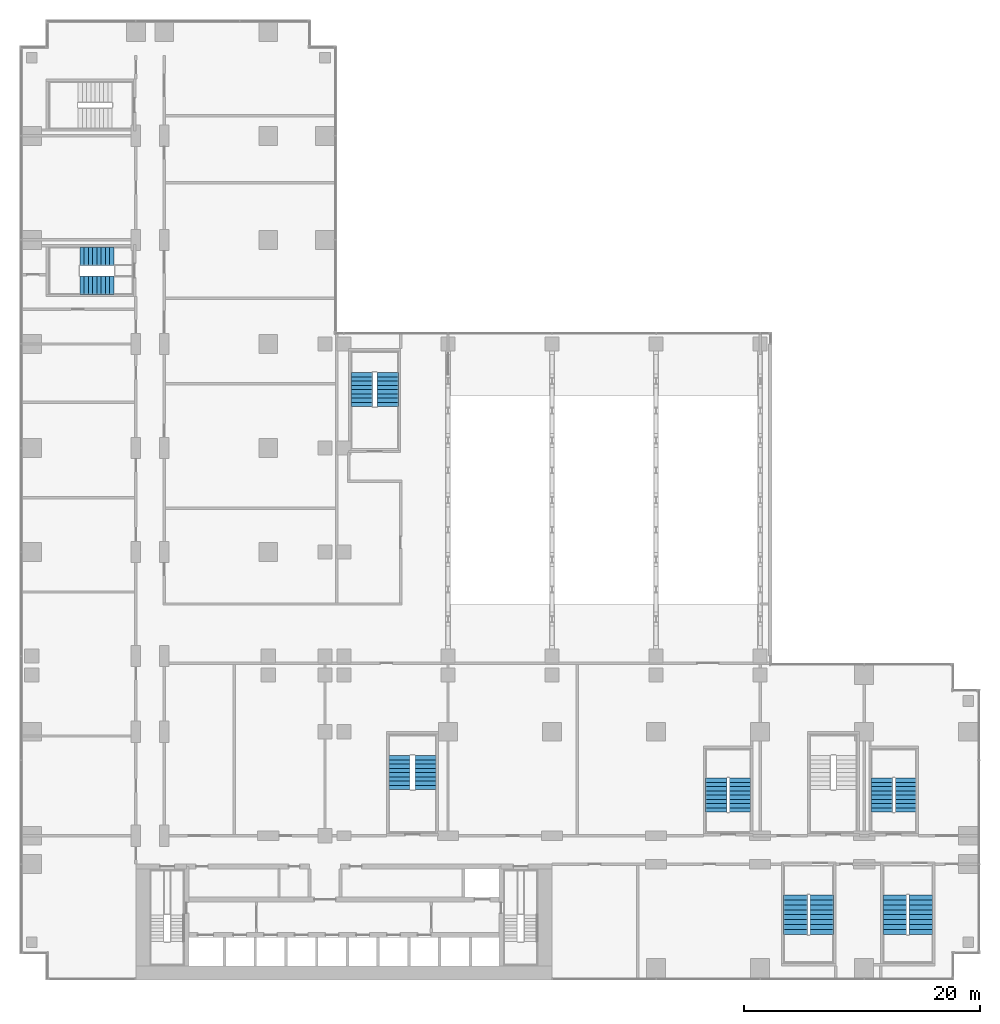
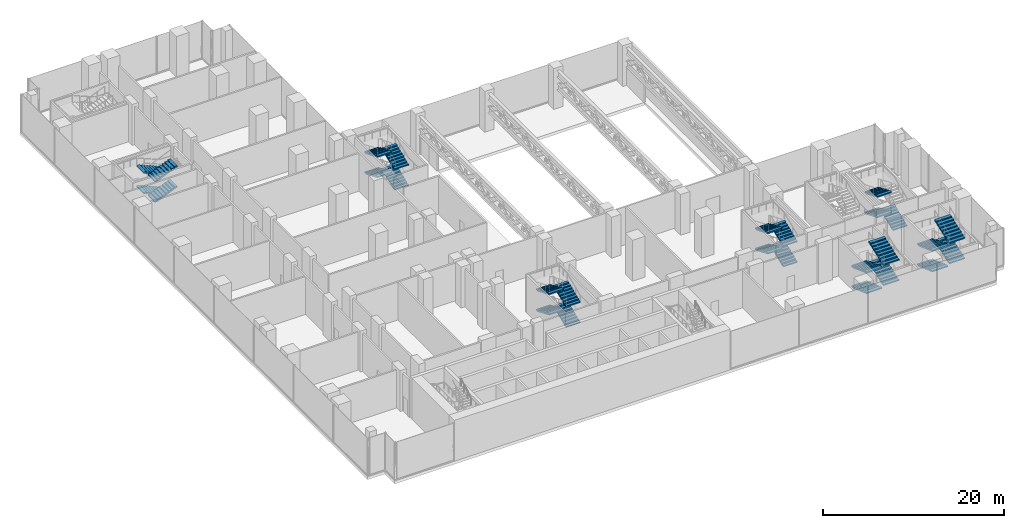
# One storey, part 23 of 30: 27 stair flights, 7 elements without a shape of their own.
"""IFC4 building model written with IfcOpenShell, lengths in metres."""

from ifc_helpers import new_model, si_unit, direction, frame, origin, place, context, subcontext, project, spatial, polyline, outline, extrude, material, type_object, element, aggregate, save


model = new_model("IFC4")

# Units and contexts
model_context = context("Model", 3, precision=1e-05, world=origin(), true_north=direction((0.0, 1.0)))
body_context = subcontext(model_context, "Body", "Model", "MODEL_VIEW")
ifc_project = project(units=[si_unit("LENGTHUNIT", "METRE"), si_unit("AREAUNIT", "SQUARE_METRE"), si_unit("VOLUMEUNIT", "CUBIC_METRE"), si_unit("PLANEANGLEUNIT", "RADIAN"), si_unit("MASSUNIT", "GRAM", prefix="KILO")], contexts=[model_context])

# Site, building, storey
site_placement = place(None, origin())
site = spatial("IfcSite", under=ifc_project, at=site_placement, CompositionType="ELEMENT")
building_placement = place(site_placement, origin())
building = spatial("IfcBuilding", under=site, at=building_placement, Name="Kemantara Hotel Tower", CompositionType="ELEMENT")
storey_placement = place(building_placement, frame((0.0, 0.0, 23.5)))
storey = spatial("IfcBuildingStorey", under=building, at=storey_placement, Name="L04", CompositionType="ELEMENT", Elevation=23.5)

# Stair, stair flights
ifc_material = material(Name="Concrete fc 40 MPa", Category="concrete")
stair_type_1 = type_object("IfcStairType", Name="Stair 1550 wide 36 risers of 153 x 360 mm", PredefinedType="HALF_TURN_STAIR", material=ifc_material)
stair_1_placement = place(storey_placement, origin())
stair_1 = element("IfcStair", 1, at=stair_1_placement, inside=storey, type_object=stair_type_1, Name="L04 Exit stair ST4", PredefinedType="HALF_TURN_STAIR")
stair_flight_type_1 = type_object("IfcStairFlightType", Name="Stair flight 1550 wide 153 x 360 mm", PredefinedType="STRAIGHT", material=ifc_material)
stair_flight_1_placement = place(storey_placement, frame((7.949951171875, 61.22509765625, 0.0), z_axis=(0.0, 0.0, 1.0), x_axis=(-1.0, 0.0, 0.0)))
stair_flight_1 = element("IfcStairFlight", 2, at=stair_flight_1_placement, type_object=stair_flight_type_1, Name="ST4 flight 1", NumberOfRisers=9, NumberOfTreads=8, PredefinedType="STRAIGHT", RiserHeight=0.152777778, TreadLength=0.36, context=body_context, shape_type="SweptSolid", body=[
    extrude(outline(polyline([(0.0, 0.0), (0.0, 0.15283203125), (0.360107421875, 0.15283203125), (0.360107421875, 0.3056640625), (0.719970703125, 0.3056640625), (0.719970703125, 0.458251953125), (1.080078125, 0.458251953125), (1.080078125, 0.611083984375), (1.43994140625, 0.611083984375), (1.43994140625, 0.763916015625), (1.800048828125, 0.763916015625), (1.800048828125, 0.916748046875), (2.159912109375, 0.916748046875), (2.159912109375, 1.0693359375), (2.52001953125, 1.0693359375), (2.52001953125, 1.22216796875), (2.8798828125, 1.22216796875), (2.8798828125, 1.375), (2.8798828125, 1.059326171875), (0.3837890625, 0.0), (0.0, 0.0)])), frame((0.0, 0.77490234375, 0.0), z_axis=(0.0, -1.0, 0.0), x_axis=(1.0, 0.0, 0.0)), (0.0, 0.0, 1.0), 1.550048828125),
])
stair_flight_2_placement = place(storey_placement, frame((5.070068359375, 58.77490234375, 1.375), z_axis=(0.0, 0.0, 1.0), x_axis=(1.0, 0.0, 0.0)))
stair_flight_2 = element("IfcStairFlight", 3, at=stair_flight_2_placement, type_object=stair_flight_type_1, Name="ST4 flight 2", NumberOfRisers=9, NumberOfTreads=8, PredefinedType="STRAIGHT", RiserHeight=0.152777778, TreadLength=0.36, context=body_context, shape_type="SweptSolid", body=[
    extrude(outline(polyline([(0.0, 0.0), (0.0, 0.15283203125), (0.360107421875, 0.15283203125), (0.360107421875, 0.3056640625), (0.719970703125, 0.3056640625), (0.719970703125, 0.458251953125), (1.080078125, 0.458251953125), (1.080078125, 0.611083984375), (1.43994140625, 0.611083984375), (1.43994140625, 0.763916015625), (1.800048828125, 0.763916015625), (1.800048828125, 0.916748046875), (2.159912109375, 0.916748046875), (2.159912109375, 1.0693359375), (2.52001953125, 1.0693359375), (2.52001953125, 1.22216796875), (2.8798828125, 1.22216796875), (2.8798828125, 1.375), (2.8798828125, 1.059326171875), (0.3837890625, 0.0), (0.0, 0.0)])), frame((0.0, 0.77490234375, 0.0), z_axis=(0.0, -1.0, 0.0), x_axis=(1.0, 0.0, 0.0)), (0.0, 0.0, 1.0), 1.550048828125),
])
stair_flight_3_placement = place(storey_placement, frame((7.949951171875, 61.22509765625, 2.75), z_axis=(0.0, 0.0, 1.0), x_axis=(-1.0, 0.0, 0.0)))
stair_flight_3 = element("IfcStairFlight", 4, at=stair_flight_3_placement, type_object=stair_flight_type_1, Name="ST4 flight 3", NumberOfRisers=9, NumberOfTreads=8, PredefinedType="STRAIGHT", RiserHeight=0.152777778, TreadLength=0.36, context=body_context, shape_type="SweptSolid", body=[
    extrude(outline(polyline([(0.0, 0.0), (0.0, 0.15283203125), (0.360107421875, 0.15283203125), (0.360107421875, 0.3056640625), (0.719970703125, 0.3056640625), (0.719970703125, 0.458251953125), (1.080078125, 0.458251953125), (1.080078125, 0.611083984375), (1.43994140625, 0.611083984375), (1.43994140625, 0.763916015625), (1.800048828125, 0.763916015625), (1.800048828125, 0.916748046875), (2.159912109375, 0.916748046875), (2.159912109375, 1.0693359375), (2.52001953125, 1.0693359375), (2.52001953125, 1.22216796875), (2.8798828125, 1.22216796875), (2.8798828125, 1.375), (2.8798828125, 1.059326171875), (0.3837890625, 0.0), (0.0, 0.0)])), frame((0.0, 0.77490234375, 0.0), z_axis=(0.0, -1.0, 0.0), x_axis=(1.0, 0.0, 0.0)), (0.0, 0.0, 1.0), 1.550048828125),
])
stair_flight_4_placement = place(storey_placement, frame((5.070068359375, 58.77490234375, 4.125), z_axis=(0.0, 0.0, 1.0), x_axis=(1.0, 0.0, 0.0)))
stair_flight_4 = element("IfcStairFlight", 5, at=stair_flight_4_placement, type_object=stair_flight_type_1, Name="ST4 flight 4", NumberOfRisers=9, NumberOfTreads=8, PredefinedType="STRAIGHT", RiserHeight=0.152777778, TreadLength=0.36, context=body_context, shape_type="SweptSolid", body=[
    extrude(outline(polyline([(0.0, 0.0), (0.0, 0.15283203125), (0.360107421875, 0.15283203125), (0.360107421875, 0.3056640625), (0.719970703125, 0.3056640625), (0.719970703125, 0.458251953125), (1.080078125, 0.458251953125), (1.080078125, 0.611083984375), (1.43994140625, 0.611083984375), (1.43994140625, 0.763916015625), (1.800048828125, 0.763916015625), (1.800048828125, 0.916748046875), (2.159912109375, 0.916748046875), (2.159912109375, 1.0693359375), (2.52001953125, 1.0693359375), (2.52001953125, 1.22216796875), (2.8798828125, 1.22216796875), (2.8798828125, 1.375), (2.8798828125, 1.059326171875), (0.3837890625, 0.0), (0.0, 0.0)])), frame((0.0, 0.77490234375, 0.0), z_axis=(0.0, -1.0, 0.0), x_axis=(1.0, 0.0, 0.0)), (0.0, 0.0, 1.0), 1.550048828125),
])
aggregate(stair_1, [stair_flight_1, stair_flight_2, stair_flight_3, stair_flight_4])

stair_type_2 = type_object("IfcStairType", Name="Stair 1800 wide 36 risers of 153 x 360 mm", PredefinedType="HALF_TURN_STAIR", material=ifc_material)
stair_2_placement = place(storey_placement, origin())
stair_2 = element("IfcStair", 6, at=stair_2_placement, inside=storey, type_object=stair_type_2, Name="L04 Exit stair ST3", PredefinedType="HALF_TURN_STAIR")
stair_flight_type_2 = type_object("IfcStairFlightType", Name="Stair flight 1800 wide 153 x 360 mm", PredefinedType="STRAIGHT", material=ifc_material)
stair_flight_5_placement = place(storey_placement, frame((60.89990234375, 14.199951171875, 0.0), z_axis=(0.0, 0.0, 1.0), x_axis=(0.0, 1.0, 0.0)))
stair_flight_5 = element("IfcStairFlight", 7, at=stair_flight_5_placement, type_object=stair_flight_type_2, Name="ST3 flight 1", NumberOfRisers=9, NumberOfTreads=8, PredefinedType="STRAIGHT", RiserHeight=0.152777778, TreadLength=0.36, context=body_context, shape_type="SweptSolid", body=[
    extrude(outline(polyline([(0.0, 0.0), (0.0, 0.15283203125), (0.360107421875, 0.15283203125), (0.360107421875, 0.3056640625), (0.719970703125, 0.3056640625), (0.719970703125, 0.458251953125), (1.080078125, 0.458251953125), (1.080078125, 0.611083984375), (1.43994140625, 0.611083984375), (1.43994140625, 0.763916015625), (1.800048828125, 0.763916015625), (1.800048828125, 0.916748046875), (2.159912109375, 0.916748046875), (2.159912109375, 1.0693359375), (2.52001953125, 1.0693359375), (2.52001953125, 1.22216796875), (2.8798828125, 1.22216796875), (2.8798828125, 1.375), (2.8798828125, 1.059326171875), (0.3837890625, 0.0), (0.0, 0.0)])), frame((0.0, 0.89990234375, 0.0), z_axis=(0.0, -1.0, 0.0), x_axis=(1.0, 0.0, 0.0)), (0.0, 0.0, 1.0), 1.800048828125),
])
stair_flight_6_placement = place(storey_placement, frame((58.89990234375, 17.080078125, 1.375), z_axis=(0.0, 0.0, 1.0), x_axis=(0.0, -1.0, 0.0)))
stair_flight_6 = element("IfcStairFlight", 8, at=stair_flight_6_placement, type_object=stair_flight_type_2, Name="ST3 flight 2", NumberOfRisers=9, NumberOfTreads=8, PredefinedType="STRAIGHT", RiserHeight=0.152777778, TreadLength=0.36, context=body_context, shape_type="SweptSolid", body=[
    extrude(outline(polyline([(0.0, 0.0), (0.0, 0.15283203125), (0.360107421875, 0.15283203125), (0.360107421875, 0.3056640625), (0.719970703125, 0.3056640625), (0.719970703125, 0.458251953125), (1.080078125, 0.458251953125), (1.080078125, 0.611083984375), (1.43994140625, 0.611083984375), (1.43994140625, 0.763916015625), (1.800048828125, 0.763916015625), (1.800048828125, 0.916748046875), (2.159912109375, 0.916748046875), (2.159912109375, 1.0693359375), (2.52001953125, 1.0693359375), (2.52001953125, 1.22216796875), (2.8798828125, 1.22216796875), (2.8798828125, 1.375), (2.8798828125, 1.059326171875), (0.3837890625, 0.0), (0.0, 0.0)])), frame((0.0, 0.89990234375, 0.0), z_axis=(0.0, -1.0, 0.0), x_axis=(1.0, 0.0, 0.0)), (0.0, 0.0, 1.0), 1.800048828125),
])
stair_flight_7_placement = place(storey_placement, frame((60.89990234375, 14.199951171875, 2.75), z_axis=(0.0, 0.0, 1.0), x_axis=(0.0, 1.0, 0.0)))
stair_flight_7 = element("IfcStairFlight", 9, at=stair_flight_7_placement, type_object=stair_flight_type_2, Name="ST3 flight 3", NumberOfRisers=9, NumberOfTreads=8, PredefinedType="STRAIGHT", RiserHeight=0.152777778, TreadLength=0.36, context=body_context, shape_type="SweptSolid", body=[
    extrude(outline(polyline([(0.0, 0.0), (0.0, 0.15283203125), (0.360107421875, 0.15283203125), (0.360107421875, 0.3056640625), (0.719970703125, 0.3056640625), (0.719970703125, 0.458251953125), (1.080078125, 0.458251953125), (1.080078125, 0.611083984375), (1.43994140625, 0.611083984375), (1.43994140625, 0.763916015625), (1.800048828125, 0.763916015625), (1.800048828125, 0.916748046875), (2.159912109375, 0.916748046875), (2.159912109375, 1.0693359375), (2.52001953125, 1.0693359375), (2.52001953125, 1.22216796875), (2.8798828125, 1.22216796875), (2.8798828125, 1.375), (2.8798828125, 1.059326171875), (0.3837890625, 0.0), (0.0, 0.0)])), frame((0.0, 0.89990234375, 0.0), z_axis=(0.0, -1.0, 0.0), x_axis=(1.0, 0.0, 0.0)), (0.0, 0.0, 1.0), 1.800048828125),
])
stair_flight_8_placement = place(storey_placement, frame((58.89990234375, 17.080078125, 4.125), z_axis=(0.0, 0.0, 1.0), x_axis=(0.0, -1.0, 0.0)))
stair_flight_8 = element("IfcStairFlight", 10, at=stair_flight_8_placement, type_object=stair_flight_type_2, Name="ST3 flight 4", NumberOfRisers=9, NumberOfTreads=8, PredefinedType="STRAIGHT", RiserHeight=0.152777778, TreadLength=0.36, context=body_context, shape_type="SweptSolid", body=[
    extrude(outline(polyline([(0.0, 0.0), (0.0, 0.15283203125), (0.360107421875, 0.15283203125), (0.360107421875, 0.3056640625), (0.719970703125, 0.3056640625), (0.719970703125, 0.458251953125), (1.080078125, 0.458251953125), (1.080078125, 0.611083984375), (1.43994140625, 0.611083984375), (1.43994140625, 0.763916015625), (1.800048828125, 0.763916015625), (1.800048828125, 0.916748046875), (2.159912109375, 0.916748046875), (2.159912109375, 1.0693359375), (2.52001953125, 1.0693359375), (2.52001953125, 1.22216796875), (2.8798828125, 1.22216796875), (2.8798828125, 1.375), (2.8798828125, 1.059326171875), (0.3837890625, 0.0), (0.0, 0.0)])), frame((0.0, 0.89990234375, 0.0), z_axis=(0.0, -1.0, 0.0), x_axis=(1.0, 0.0, 0.0)), (0.0, 0.0, 1.0), 1.800048828125),
])
aggregate(stair_2, [stair_flight_5, stair_flight_6, stair_flight_7, stair_flight_8])

stair_3_placement = place(storey_placement, origin())
stair_3 = element("IfcStair", 11, at=stair_3_placement, inside=storey, type_object=stair_type_2, Name="L04 Exit stair ST5", PredefinedType="HALF_TURN_STAIR")
stair_flight_9_placement = place(storey_placement, frame((74.89990234375, 14.199951171875, 0.0), z_axis=(0.0, 0.0, 1.0), x_axis=(0.0, 1.0, 0.0)))
stair_flight_9 = element("IfcStairFlight", 12, at=stair_flight_9_placement, type_object=stair_flight_type_2, Name="ST5 flight 1", NumberOfRisers=9, NumberOfTreads=8, PredefinedType="STRAIGHT", RiserHeight=0.152777778, TreadLength=0.36, context=body_context, shape_type="SweptSolid", body=[
    extrude(outline(polyline([(0.0, 0.0), (0.0, 0.15283203125), (0.360107421875, 0.15283203125), (0.360107421875, 0.3056640625), (0.719970703125, 0.3056640625), (0.719970703125, 0.458251953125), (1.080078125, 0.458251953125), (1.080078125, 0.611083984375), (1.43994140625, 0.611083984375), (1.43994140625, 0.763916015625), (1.800048828125, 0.763916015625), (1.800048828125, 0.916748046875), (2.159912109375, 0.916748046875), (2.159912109375, 1.0693359375), (2.52001953125, 1.0693359375), (2.52001953125, 1.22216796875), (2.8798828125, 1.22216796875), (2.8798828125, 1.375), (2.8798828125, 1.059326171875), (0.3837890625, 0.0), (0.0, 0.0)])), frame((0.0, 0.89990234375, 0.0), z_axis=(0.0, -1.0, 0.0), x_axis=(1.0, 0.0, 0.0)), (0.0, 0.0, 1.0), 1.800048828125),
])
stair_flight_10_placement = place(storey_placement, frame((72.89990234375, 17.080078125, 1.375), z_axis=(0.0, 0.0, 1.0), x_axis=(0.0, -1.0, 0.0)))
stair_flight_10 = element("IfcStairFlight", 13, at=stair_flight_10_placement, type_object=stair_flight_type_2, Name="ST5 flight 2", NumberOfRisers=9, NumberOfTreads=8, PredefinedType="STRAIGHT", RiserHeight=0.152777778, TreadLength=0.36, context=body_context, shape_type="SweptSolid", body=[
    extrude(outline(polyline([(0.0, 0.0), (0.0, 0.15283203125), (0.360107421875, 0.15283203125), (0.360107421875, 0.3056640625), (0.719970703125, 0.3056640625), (0.719970703125, 0.458251953125), (1.080078125, 0.458251953125), (1.080078125, 0.611083984375), (1.43994140625, 0.611083984375), (1.43994140625, 0.763916015625), (1.800048828125, 0.763916015625), (1.800048828125, 0.916748046875), (2.159912109375, 0.916748046875), (2.159912109375, 1.0693359375), (2.52001953125, 1.0693359375), (2.52001953125, 1.22216796875), (2.8798828125, 1.22216796875), (2.8798828125, 1.375), (2.8798828125, 1.059326171875), (0.3837890625, 0.0), (0.0, 0.0)])), frame((0.0, 0.89990234375, 0.0), z_axis=(0.0, -1.0, 0.0), x_axis=(1.0, 0.0, 0.0)), (0.0, 0.0, 1.0), 1.800048828125),
])
stair_flight_11_placement = place(storey_placement, frame((72.89990234375, 17.080078125, 4.125), z_axis=(0.0, 0.0, 1.0), x_axis=(0.0, -1.0, 0.0)))
stair_flight_11 = element("IfcStairFlight", 14, at=stair_flight_11_placement, type_object=stair_flight_type_2, Name="ST5 flight 4", NumberOfRisers=9, NumberOfTreads=8, PredefinedType="STRAIGHT", RiserHeight=0.152777778, TreadLength=0.36, context=body_context, shape_type="SweptSolid", body=[
    extrude(outline(polyline([(0.0, 0.0), (0.0, 0.15283203125), (0.360107421875, 0.15283203125), (0.360107421875, 0.3056640625), (0.719970703125, 0.3056640625), (0.719970703125, 0.458251953125), (1.080078125, 0.458251953125), (1.080078125, 0.611083984375), (1.43994140625, 0.611083984375), (1.43994140625, 0.763916015625), (1.800048828125, 0.763916015625), (1.800048828125, 0.916748046875), (2.159912109375, 0.916748046875), (2.159912109375, 1.0693359375), (2.52001953125, 1.0693359375), (2.52001953125, 1.22216796875), (2.8798828125, 1.22216796875), (2.8798828125, 1.375), (2.8798828125, 1.059326171875), (0.3837890625, 0.0), (0.0, 0.0)])), frame((0.0, 0.89990234375, 0.0), z_axis=(0.0, -1.0, 0.0), x_axis=(1.0, 0.0, 0.0)), (0.0, 0.0, 1.0), 1.800048828125),
])
aggregate(stair_3, [stair_flight_9, stair_flight_10, stair_flight_11])

stair_4_placement = place(storey_placement, origin())
stair_4 = element("IfcStair", 15, at=stair_4_placement, inside=storey, type_object=stair_type_2, Name="L04 Stair PS2", PredefinedType="HALF_TURN_STAIR")
stair_flight_12_placement = place(storey_placement, frame((31.10009765625, 48.5, 0.0), z_axis=(0.0, 0.0, 1.0), x_axis=(0.0, 1.0, 0.0)))
stair_flight_12 = element("IfcStairFlight", 16, at=stair_flight_12_placement, type_object=stair_flight_type_2, Name="PS2 flight 1", NumberOfRisers=9, NumberOfTreads=8, PredefinedType="STRAIGHT", RiserHeight=0.152777778, TreadLength=0.36, context=body_context, shape_type="SweptSolid", body=[
    extrude(outline(polyline([(0.0, 0.0), (0.0, 0.15283203125), (0.360107421875, 0.15283203125), (0.360107421875, 0.3056640625), (0.719970703125, 0.3056640625), (0.719970703125, 0.458251953125), (1.080078125, 0.458251953125), (1.080078125, 0.611083984375), (1.43994140625, 0.611083984375), (1.43994140625, 0.763916015625), (1.800048828125, 0.763916015625), (1.800048828125, 0.916748046875), (2.159912109375, 0.916748046875), (2.159912109375, 1.0693359375), (2.52001953125, 1.0693359375), (2.52001953125, 1.22216796875), (2.8798828125, 1.22216796875), (2.8798828125, 1.375), (2.8798828125, 1.059326171875), (0.3837890625, 0.0), (0.0, 0.0)])), frame((0.0, 0.89990234375, 0.0), z_axis=(0.0, -1.0, 0.0), x_axis=(1.0, 0.0, 0.0)), (0.0, 0.0, 1.0), 1.800048828125),
])
stair_flight_13_placement = place(storey_placement, frame((28.89990234375, 51.3798828125, 1.375), z_axis=(0.0, 0.0, 1.0), x_axis=(0.0, -1.0, 0.0)))
stair_flight_13 = element("IfcStairFlight", 17, at=stair_flight_13_placement, type_object=stair_flight_type_2, Name="PS2 flight 2", NumberOfRisers=9, NumberOfTreads=8, PredefinedType="STRAIGHT", RiserHeight=0.152777778, TreadLength=0.36, context=body_context, shape_type="SweptSolid", body=[
    extrude(outline(polyline([(0.0, 0.0), (0.0, 0.15283203125), (0.360107421875, 0.15283203125), (0.360107421875, 0.3056640625), (0.719970703125, 0.3056640625), (0.719970703125, 0.458251953125), (1.080078125, 0.458251953125), (1.080078125, 0.611083984375), (1.43994140625, 0.611083984375), (1.43994140625, 0.763916015625), (1.800048828125, 0.763916015625), (1.800048828125, 0.916748046875), (2.159912109375, 0.916748046875), (2.159912109375, 1.0693359375), (2.52001953125, 1.0693359375), (2.52001953125, 1.22216796875), (2.8798828125, 1.22216796875), (2.8798828125, 1.375), (2.8798828125, 1.059326171875), (0.3837890625, 0.0), (0.0, 0.0)])), frame((0.0, 0.89990234375, 0.0), z_axis=(0.0, -1.0, 0.0), x_axis=(1.0, 0.0, 0.0)), (0.0, 0.0, 1.0), 1.800048828125),
])
stair_flight_14_placement = place(storey_placement, frame((31.10009765625, 48.5, 2.75), z_axis=(0.0, 0.0, 1.0), x_axis=(0.0, 1.0, 0.0)))
stair_flight_14 = element("IfcStairFlight", 18, at=stair_flight_14_placement, type_object=stair_flight_type_2, Name="PS2 flight 3", NumberOfRisers=9, NumberOfTreads=8, PredefinedType="STRAIGHT", RiserHeight=0.152777778, TreadLength=0.36, context=body_context, shape_type="SweptSolid", body=[
    extrude(outline(polyline([(0.0, 0.0), (0.0, 0.15283203125), (0.360107421875, 0.15283203125), (0.360107421875, 0.3056640625), (0.719970703125, 0.3056640625), (0.719970703125, 0.458251953125), (1.080078125, 0.458251953125), (1.080078125, 0.611083984375), (1.43994140625, 0.611083984375), (1.43994140625, 0.763916015625), (1.800048828125, 0.763916015625), (1.800048828125, 0.916748046875), (2.159912109375, 0.916748046875), (2.159912109375, 1.0693359375), (2.52001953125, 1.0693359375), (2.52001953125, 1.22216796875), (2.8798828125, 1.22216796875), (2.8798828125, 1.375), (2.8798828125, 1.059326171875), (0.3837890625, 0.0), (0.0, 0.0)])), frame((0.0, 0.89990234375, 0.0), z_axis=(0.0, -1.0, 0.0), x_axis=(1.0, 0.0, 0.0)), (0.0, 0.0, 1.0), 1.800048828125),
])
stair_flight_15_placement = place(storey_placement, frame((28.89990234375, 51.3798828125, 4.125), z_axis=(0.0, 0.0, 1.0), x_axis=(0.0, -1.0, 0.0)))
stair_flight_15 = element("IfcStairFlight", 19, at=stair_flight_15_placement, type_object=stair_flight_type_2, Name="PS2 flight 4", NumberOfRisers=9, NumberOfTreads=8, PredefinedType="STRAIGHT", RiserHeight=0.152777778, TreadLength=0.36, context=body_context, shape_type="SweptSolid", body=[
    extrude(outline(polyline([(0.0, 0.0), (0.0, 0.15283203125), (0.360107421875, 0.15283203125), (0.360107421875, 0.3056640625), (0.719970703125, 0.3056640625), (0.719970703125, 0.458251953125), (1.080078125, 0.458251953125), (1.080078125, 0.611083984375), (1.43994140625, 0.611083984375), (1.43994140625, 0.763916015625), (1.800048828125, 0.763916015625), (1.800048828125, 0.916748046875), (2.159912109375, 0.916748046875), (2.159912109375, 1.0693359375), (2.52001953125, 1.0693359375), (2.52001953125, 1.22216796875), (2.8798828125, 1.22216796875), (2.8798828125, 1.375), (2.8798828125, 1.059326171875), (0.3837890625, 0.0), (0.0, 0.0)])), frame((0.0, 0.89990234375, 0.0), z_axis=(0.0, -1.0, 0.0), x_axis=(1.0, 0.0, 0.0)), (0.0, 0.0, 1.0), 1.800048828125),
])
aggregate(stair_4, [stair_flight_12, stair_flight_13, stair_flight_14, stair_flight_15])

stair_5_placement = place(storey_placement, origin())
stair_5 = element("IfcStair", 20, at=stair_5_placement, inside=storey, type_object=stair_type_2, Name="L04 Stair PS3", PredefinedType="HALF_TURN_STAIR")
stair_flight_16_placement = place(storey_placement, frame((34.300048828125, 16.10009765625, 0.0), z_axis=(0.0, 0.0, 1.0), x_axis=(0.0, 1.0, 0.0)))
stair_flight_16 = element("IfcStairFlight", 21, at=stair_flight_16_placement, type_object=stair_flight_type_2, Name="PS3 flight 1", NumberOfRisers=9, NumberOfTreads=8, PredefinedType="STRAIGHT", RiserHeight=0.152777778, TreadLength=0.36, context=body_context, shape_type="SweptSolid", body=[
    extrude(outline(polyline([(0.0, 0.0), (0.0, 0.15283203125), (0.360107421875, 0.15283203125), (0.360107421875, 0.3056640625), (0.719970703125, 0.3056640625), (0.719970703125, 0.458251953125), (1.080078125, 0.458251953125), (1.080078125, 0.611083984375), (1.43994140625, 0.611083984375), (1.43994140625, 0.763916015625), (1.800048828125, 0.763916015625), (1.800048828125, 0.916748046875), (2.159912109375, 0.916748046875), (2.159912109375, 1.0693359375), (2.52001953125, 1.0693359375), (2.52001953125, 1.22216796875), (2.8798828125, 1.22216796875), (2.8798828125, 1.375), (2.8798828125, 1.059326171875), (0.3837890625, 0.0), (0.0, 0.0)])), frame((0.0, 0.89990234375, 0.0), z_axis=(0.0, -1.0, 0.0), x_axis=(1.0, 0.0, 0.0)), (0.0, 0.0, 1.0), 1.800048828125),
])
stair_flight_17_placement = place(storey_placement, frame((32.10009765625, 18.97998046875, 1.375), z_axis=(0.0, 0.0, 1.0), x_axis=(0.0, -1.0, 0.0)))
stair_flight_17 = element("IfcStairFlight", 22, at=stair_flight_17_placement, type_object=stair_flight_type_2, Name="PS3 flight 2", NumberOfRisers=9, NumberOfTreads=8, PredefinedType="STRAIGHT", RiserHeight=0.152777778, TreadLength=0.36, context=body_context, shape_type="SweptSolid", body=[
    extrude(outline(polyline([(0.0, 0.0), (0.0, 0.15283203125), (0.360107421875, 0.15283203125), (0.360107421875, 0.3056640625), (0.719970703125, 0.3056640625), (0.719970703125, 0.458251953125), (1.080078125, 0.458251953125), (1.080078125, 0.611083984375), (1.43994140625, 0.611083984375), (1.43994140625, 0.763916015625), (1.800048828125, 0.763916015625), (1.800048828125, 0.916748046875), (2.159912109375, 0.916748046875), (2.159912109375, 1.0693359375), (2.52001953125, 1.0693359375), (2.52001953125, 1.22216796875), (2.8798828125, 1.22216796875), (2.8798828125, 1.375), (2.8798828125, 1.059326171875), (0.3837890625, 0.0), (0.0, 0.0)])), frame((0.0, 0.89990234375, 0.0), z_axis=(0.0, -1.0, 0.0), x_axis=(1.0, 0.0, 0.0)), (0.0, 0.0, 1.0), 1.800048828125),
])
stair_flight_18_placement = place(storey_placement, frame((34.300048828125, 16.10009765625, 2.75), z_axis=(0.0, 0.0, 1.0), x_axis=(0.0, 1.0, 0.0)))
stair_flight_18 = element("IfcStairFlight", 23, at=stair_flight_18_placement, type_object=stair_flight_type_2, Name="PS3 flight 3", NumberOfRisers=9, NumberOfTreads=8, PredefinedType="STRAIGHT", RiserHeight=0.152777778, TreadLength=0.36, context=body_context, shape_type="SweptSolid", body=[
    extrude(outline(polyline([(0.0, 0.0), (0.0, 0.15283203125), (0.360107421875, 0.15283203125), (0.360107421875, 0.3056640625), (0.719970703125, 0.3056640625), (0.719970703125, 0.458251953125), (1.080078125, 0.458251953125), (1.080078125, 0.611083984375), (1.43994140625, 0.611083984375), (1.43994140625, 0.763916015625), (1.800048828125, 0.763916015625), (1.800048828125, 0.916748046875), (2.159912109375, 0.916748046875), (2.159912109375, 1.0693359375), (2.52001953125, 1.0693359375), (2.52001953125, 1.22216796875), (2.8798828125, 1.22216796875), (2.8798828125, 1.375), (2.8798828125, 1.059326171875), (0.3837890625, 0.0), (0.0, 0.0)])), frame((0.0, 0.89990234375, 0.0), z_axis=(0.0, -1.0, 0.0), x_axis=(1.0, 0.0, 0.0)), (0.0, 0.0, 1.0), 1.800048828125),
])
stair_flight_19_placement = place(storey_placement, frame((32.10009765625, 18.97998046875, 4.125), z_axis=(0.0, 0.0, 1.0), x_axis=(0.0, -1.0, 0.0)))
stair_flight_19 = element("IfcStairFlight", 24, at=stair_flight_19_placement, type_object=stair_flight_type_2, Name="PS3 flight 4", NumberOfRisers=9, NumberOfTreads=8, PredefinedType="STRAIGHT", RiserHeight=0.152777778, TreadLength=0.36, context=body_context, shape_type="SweptSolid", body=[
    extrude(outline(polyline([(0.0, 0.0), (0.0, 0.15283203125), (0.360107421875, 0.15283203125), (0.360107421875, 0.3056640625), (0.719970703125, 0.3056640625), (0.719970703125, 0.458251953125), (1.080078125, 0.458251953125), (1.080078125, 0.611083984375), (1.43994140625, 0.611083984375), (1.43994140625, 0.763916015625), (1.800048828125, 0.763916015625), (1.800048828125, 0.916748046875), (2.159912109375, 0.916748046875), (2.159912109375, 1.0693359375), (2.52001953125, 1.0693359375), (2.52001953125, 1.22216796875), (2.8798828125, 1.22216796875), (2.8798828125, 1.375), (2.8798828125, 1.059326171875), (0.3837890625, 0.0), (0.0, 0.0)])), frame((0.0, 0.89990234375, 0.0), z_axis=(0.0, -1.0, 0.0), x_axis=(1.0, 0.0, 0.0)), (0.0, 0.0, 1.0), 1.800048828125),
])
aggregate(stair_5, [stair_flight_16, stair_flight_17, stair_flight_18, stair_flight_19])

stair_type_3 = type_object("IfcStairType", Name="Stair 2000 wide 36 risers of 153 x 420 mm", PredefinedType="HALF_TURN_STAIR", material=ifc_material)
stair_6_placement = place(storey_placement, origin())
stair_6 = element("IfcStair", 25, at=stair_6_placement, inside=storey, type_object=stair_type_3, Name="L04 Stair PS4", PredefinedType="HALF_TURN_STAIR")
stair_flight_type_3 = type_object("IfcStairFlightType", Name="Stair flight 2000 wide 153 x 420 mm", PredefinedType="STRAIGHT", material=ifc_material)
stair_flight_20_placement = place(storey_placement, frame((65.60009765625, 7.199951171875, 0.0), z_axis=(0.0, 0.0, 1.0), x_axis=(0.0, -1.0, 0.0)))
stair_flight_20 = element("IfcStairFlight", 26, at=stair_flight_20_placement, type_object=stair_flight_type_3, Name="PS4 flight 1", NumberOfRisers=9, NumberOfTreads=8, PredefinedType="STRAIGHT", RiserHeight=0.152777778, TreadLength=0.42, context=body_context, shape_type="SweptSolid", body=[
    extrude(outline(polyline([(0.0, 0.0), (0.0, 0.15283203125), (0.419921875, 0.15283203125), (0.419921875, 0.3056640625), (0.840087890625, 0.3056640625), (0.840087890625, 0.458251953125), (1.260009765625, 0.458251953125), (1.260009765625, 0.611083984375), (1.679931640625, 0.611083984375), (1.679931640625, 0.763916015625), (2.10009765625, 0.763916015625), (2.10009765625, 0.916748046875), (2.52001953125, 0.916748046875), (2.52001953125, 1.0693359375), (2.93994140625, 1.0693359375), (2.93994140625, 1.22216796875), (3.360107421875, 1.22216796875), (3.360107421875, 1.375), (3.360107421875, 1.062744140625), (0.4384765625, 0.0), (0.0, 0.0)])), frame((0.0, 1.0, 0.0), z_axis=(0.0, -1.0, 0.0), x_axis=(1.0, 0.0, 0.0)), (0.0, 0.0, 1.0), 2.0),
])
stair_flight_21_placement = place(storey_placement, frame((67.800048828125, 3.840087890625, 1.375), z_axis=(0.0, 0.0, 1.0), x_axis=(0.0, 1.0, 0.0)))
stair_flight_21 = element("IfcStairFlight", 27, at=stair_flight_21_placement, type_object=stair_flight_type_3, Name="PS4 flight 2", NumberOfRisers=9, NumberOfTreads=8, PredefinedType="STRAIGHT", RiserHeight=0.152777778, TreadLength=0.42, context=body_context, shape_type="SweptSolid", body=[
    extrude(outline(polyline([(0.0, 0.0), (0.0, 0.15283203125), (0.419921875, 0.15283203125), (0.419921875, 0.3056640625), (0.840087890625, 0.3056640625), (0.840087890625, 0.458251953125), (1.260009765625, 0.458251953125), (1.260009765625, 0.611083984375), (1.679931640625, 0.611083984375), (1.679931640625, 0.763916015625), (2.10009765625, 0.763916015625), (2.10009765625, 0.916748046875), (2.52001953125, 0.916748046875), (2.52001953125, 1.0693359375), (2.93994140625, 1.0693359375), (2.93994140625, 1.22216796875), (3.360107421875, 1.22216796875), (3.360107421875, 1.375), (3.360107421875, 1.062744140625), (0.4384765625, 0.0), (0.0, 0.0)])), frame((0.0, 1.0, 0.0), z_axis=(0.0, -1.0, 0.0), x_axis=(1.0, 0.0, 0.0)), (0.0, 0.0, 1.0), 2.0),
])
stair_flight_22_placement = place(storey_placement, frame((65.60009765625, 7.199951171875, 2.75), z_axis=(0.0, 0.0, 1.0), x_axis=(0.0, -1.0, 0.0)))
stair_flight_22 = element("IfcStairFlight", 28, at=stair_flight_22_placement, type_object=stair_flight_type_3, Name="PS4 flight 3", NumberOfRisers=9, NumberOfTreads=8, PredefinedType="STRAIGHT", RiserHeight=0.152777778, TreadLength=0.42, context=body_context, shape_type="SweptSolid", body=[
    extrude(outline(polyline([(0.0, 0.0), (0.0, 0.15283203125), (0.419921875, 0.15283203125), (0.419921875, 0.3056640625), (0.840087890625, 0.3056640625), (0.840087890625, 0.458251953125), (1.260009765625, 0.458251953125), (1.260009765625, 0.611083984375), (1.679931640625, 0.611083984375), (1.679931640625, 0.763916015625), (2.10009765625, 0.763916015625), (2.10009765625, 0.916748046875), (2.52001953125, 0.916748046875), (2.52001953125, 1.0693359375), (2.93994140625, 1.0693359375), (2.93994140625, 1.22216796875), (3.360107421875, 1.22216796875), (3.360107421875, 1.375), (3.360107421875, 1.062744140625), (0.4384765625, 0.0), (0.0, 0.0)])), frame((0.0, 1.0, 0.0), z_axis=(0.0, -1.0, 0.0), x_axis=(1.0, 0.0, 0.0)), (0.0, 0.0, 1.0), 2.0),
])
stair_flight_23_placement = place(storey_placement, frame((67.800048828125, 3.840087890625, 4.125), z_axis=(0.0, 0.0, 1.0), x_axis=(0.0, 1.0, 0.0)))
stair_flight_23 = element("IfcStairFlight", 29, at=stair_flight_23_placement, type_object=stair_flight_type_3, Name="PS4 flight 4", NumberOfRisers=9, NumberOfTreads=8, PredefinedType="STRAIGHT", RiserHeight=0.152777778, TreadLength=0.42, context=body_context, shape_type="SweptSolid", body=[
    extrude(outline(polyline([(0.0, 0.0), (0.0, 0.15283203125), (0.419921875, 0.15283203125), (0.419921875, 0.3056640625), (0.840087890625, 0.3056640625), (0.840087890625, 0.458251953125), (1.260009765625, 0.458251953125), (1.260009765625, 0.611083984375), (1.679931640625, 0.611083984375), (1.679931640625, 0.763916015625), (2.10009765625, 0.763916015625), (2.10009765625, 0.916748046875), (2.52001953125, 0.916748046875), (2.52001953125, 1.0693359375), (2.93994140625, 1.0693359375), (2.93994140625, 1.22216796875), (3.360107421875, 1.22216796875), (3.360107421875, 1.375), (3.360107421875, 1.062744140625), (0.4384765625, 0.0), (0.0, 0.0)])), frame((0.0, 1.0, 0.0), z_axis=(0.0, -1.0, 0.0), x_axis=(1.0, 0.0, 0.0)), (0.0, 0.0, 1.0), 2.0),
])
aggregate(stair_6, [stair_flight_20, stair_flight_21, stair_flight_22, stair_flight_23])

stair_7_placement = place(storey_placement, origin())
stair_7 = element("IfcStair", 30, at=stair_7_placement, inside=storey, type_object=stair_type_3, Name="L04 Stair PS5", PredefinedType="HALF_TURN_STAIR")
stair_flight_24_placement = place(storey_placement, frame((74.0, 7.199951171875, 0.0), z_axis=(0.0, 0.0, 1.0), x_axis=(0.0, -1.0, 0.0)))
stair_flight_24 = element("IfcStairFlight", 31, at=stair_flight_24_placement, type_object=stair_flight_type_3, Name="PS5 flight 1", NumberOfRisers=9, NumberOfTreads=8, PredefinedType="STRAIGHT", RiserHeight=0.152777778, TreadLength=0.42, context=body_context, shape_type="SweptSolid", body=[
    extrude(outline(polyline([(0.0, 0.0), (0.0, 0.15283203125), (0.419921875, 0.15283203125), (0.419921875, 0.3056640625), (0.840087890625, 0.3056640625), (0.840087890625, 0.458251953125), (1.260009765625, 0.458251953125), (1.260009765625, 0.611083984375), (1.679931640625, 0.611083984375), (1.679931640625, 0.763916015625), (2.10009765625, 0.763916015625), (2.10009765625, 0.916748046875), (2.52001953125, 0.916748046875), (2.52001953125, 1.0693359375), (2.93994140625, 1.0693359375), (2.93994140625, 1.22216796875), (3.360107421875, 1.22216796875), (3.360107421875, 1.375), (3.360107421875, 1.062744140625), (0.4384765625, 0.0), (0.0, 0.0)])), frame((0.0, 1.0, 0.0), z_axis=(0.0, -1.0, 0.0), x_axis=(1.0, 0.0, 0.0)), (0.0, 0.0, 1.0), 2.0),
])
stair_flight_25_placement = place(storey_placement, frame((76.199951171875, 3.840087890625, 1.375), z_axis=(0.0, 0.0, 1.0), x_axis=(0.0, 1.0, 0.0)))
stair_flight_25 = element("IfcStairFlight", 32, at=stair_flight_25_placement, type_object=stair_flight_type_3, Name="PS5 flight 2", NumberOfRisers=9, NumberOfTreads=8, PredefinedType="STRAIGHT", RiserHeight=0.152777778, TreadLength=0.42, context=body_context, shape_type="SweptSolid", body=[
    extrude(outline(polyline([(0.0, 0.0), (0.0, 0.15283203125), (0.419921875, 0.15283203125), (0.419921875, 0.3056640625), (0.840087890625, 0.3056640625), (0.840087890625, 0.458251953125), (1.260009765625, 0.458251953125), (1.260009765625, 0.611083984375), (1.679931640625, 0.611083984375), (1.679931640625, 0.763916015625), (2.10009765625, 0.763916015625), (2.10009765625, 0.916748046875), (2.52001953125, 0.916748046875), (2.52001953125, 1.0693359375), (2.93994140625, 1.0693359375), (2.93994140625, 1.22216796875), (3.360107421875, 1.22216796875), (3.360107421875, 1.375), (3.360107421875, 1.062744140625), (0.4384765625, 0.0), (0.0, 0.0)])), frame((0.0, 1.0, 0.0), z_axis=(0.0, -1.0, 0.0), x_axis=(1.0, 0.0, 0.0)), (0.0, 0.0, 1.0), 2.0),
])
stair_flight_26_placement = place(storey_placement, frame((74.0, 7.199951171875, 2.75), z_axis=(0.0, 0.0, 1.0), x_axis=(0.0, -1.0, 0.0)))
stair_flight_26 = element("IfcStairFlight", 33, at=stair_flight_26_placement, type_object=stair_flight_type_3, Name="PS5 flight 3", NumberOfRisers=9, NumberOfTreads=8, PredefinedType="STRAIGHT", RiserHeight=0.152777778, TreadLength=0.42, context=body_context, shape_type="SweptSolid", body=[
    extrude(outline(polyline([(0.0, 0.0), (0.0, 0.15283203125), (0.419921875, 0.15283203125), (0.419921875, 0.3056640625), (0.840087890625, 0.3056640625), (0.840087890625, 0.458251953125), (1.260009765625, 0.458251953125), (1.260009765625, 0.611083984375), (1.679931640625, 0.611083984375), (1.679931640625, 0.763916015625), (2.10009765625, 0.763916015625), (2.10009765625, 0.916748046875), (2.52001953125, 0.916748046875), (2.52001953125, 1.0693359375), (2.93994140625, 1.0693359375), (2.93994140625, 1.22216796875), (3.360107421875, 1.22216796875), (3.360107421875, 1.375), (3.360107421875, 1.062744140625), (0.4384765625, 0.0), (0.0, 0.0)])), frame((0.0, 1.0, 0.0), z_axis=(0.0, -1.0, 0.0), x_axis=(1.0, 0.0, 0.0)), (0.0, 0.0, 1.0), 2.0),
])
stair_flight_27_placement = place(storey_placement, frame((76.199951171875, 3.840087890625, 4.125), z_axis=(0.0, 0.0, 1.0), x_axis=(0.0, 1.0, 0.0)))
stair_flight_27 = element("IfcStairFlight", 34, at=stair_flight_27_placement, type_object=stair_flight_type_3, Name="PS5 flight 4", NumberOfRisers=9, NumberOfTreads=8, PredefinedType="STRAIGHT", RiserHeight=0.152777778, TreadLength=0.42, context=body_context, shape_type="SweptSolid", body=[
    extrude(outline(polyline([(0.0, 0.0), (0.0, 0.15283203125), (0.419921875, 0.15283203125), (0.419921875, 0.3056640625), (0.840087890625, 0.3056640625), (0.840087890625, 0.458251953125), (1.260009765625, 0.458251953125), (1.260009765625, 0.611083984375), (1.679931640625, 0.611083984375), (1.679931640625, 0.763916015625), (2.10009765625, 0.763916015625), (2.10009765625, 0.916748046875), (2.52001953125, 0.916748046875), (2.52001953125, 1.0693359375), (2.93994140625, 1.0693359375), (2.93994140625, 1.22216796875), (3.360107421875, 1.22216796875), (3.360107421875, 1.375), (3.360107421875, 1.062744140625), (0.4384765625, 0.0), (0.0, 0.0)])), frame((0.0, 1.0, 0.0), z_axis=(0.0, -1.0, 0.0), x_axis=(1.0, 0.0, 0.0)), (0.0, 0.0, 1.0), 2.0),
])
aggregate(stair_7, [stair_flight_24, stair_flight_25, stair_flight_26, stair_flight_27])

save(model, "model.ifc")
